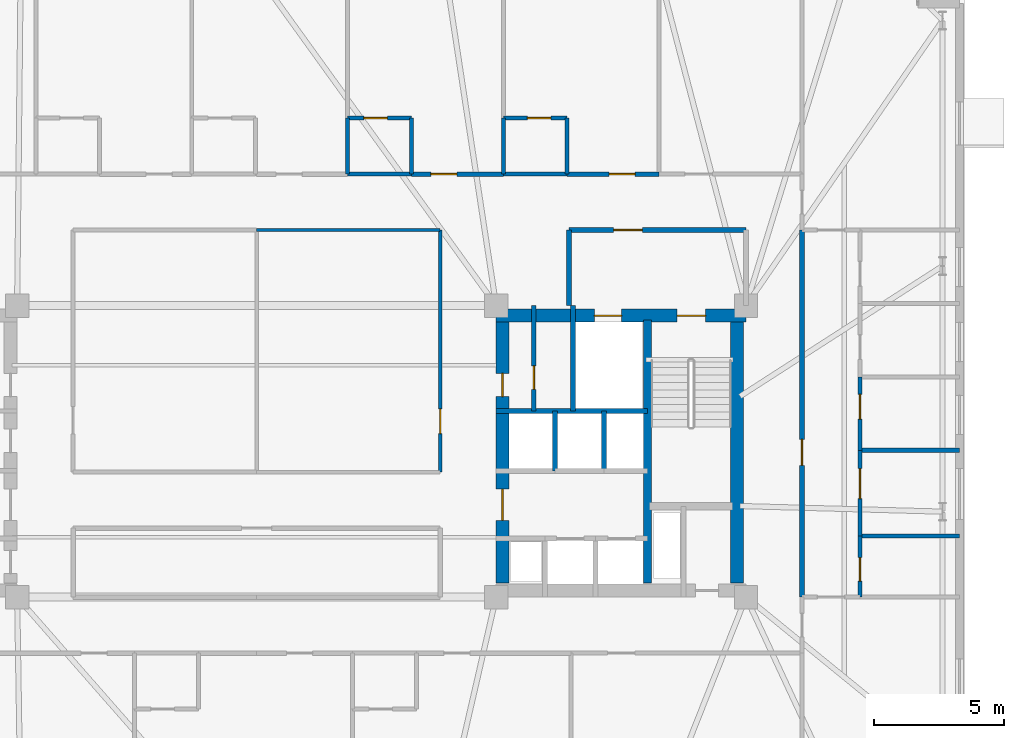
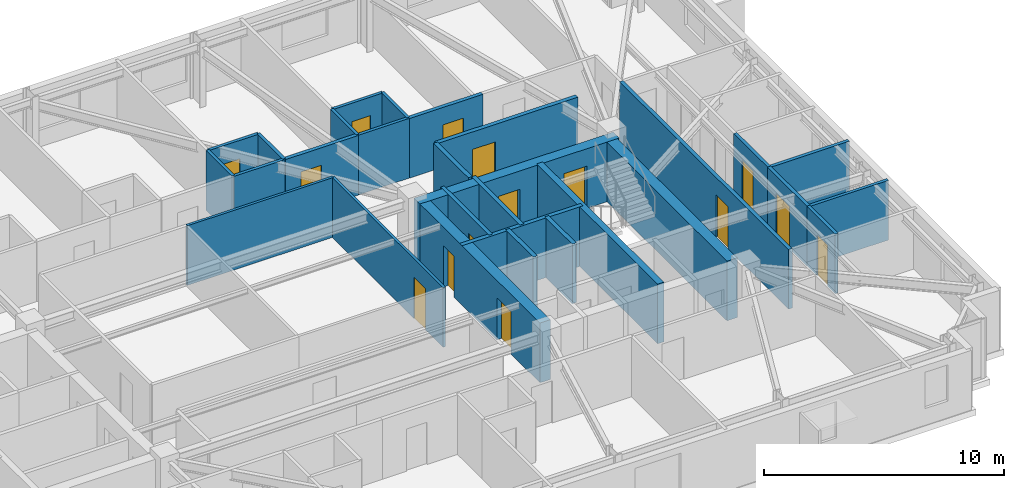
# One storey, part 14 of 19: 29 walls, 15 doors, 15 openings.
"""IFC4 building model written with IfcOpenShell, lengths in metres."""

import ifcopenshell
import ifcopenshell.guid

model = None  # the IFC model being written
_history = None  # IfcOwnerHistory: only IFC2X3 demands one
_inside = {}  # id of a spatial element -> (the spatial element, [elements in it])
_under = {}  # id of a project, library or spatial element -> (it, [spatial elements below it])
_declared = {}  # id of a project -> (the project, [libraries it declares])
_typed = {}  # id of a type object -> (the type object, [elements of that type])
_made_of = {}  # id of a material, layer set ... -> (it, [elements and type objects made of it])


def new_model(schema):
    """Start an empty IFC model of exactly this schema.

    Asked for "IFC4X3", IfcOpenShell would pick the latest addendum, in which some entities
    have other attributes; the version numbers below select the first issue.
    IFC2X3 requires an IfcOwnerHistory on every rooted entity: one is made here for all.
    """
    global model, _history
    if schema == "IFC4X3":
        model = ifcopenshell.file(schema_version=(4, 3, 0, 0))
    else:
        model = ifcopenshell.file(schema=schema)
    _inside.clear()
    _under.clear()
    _declared.clear()
    _typed.clear()
    _made_of.clear()
    _history = None
    if model.schema == "IFC2X3":
        org = make("IfcOrganization", Name="unknown")
        user = make(
            "IfcPersonAndOrganization",
            ThePerson=make("IfcPerson", FamilyName="unknown"),
            TheOrganization=org,
        )
        app = make(
            "IfcApplication",
            ApplicationDeveloper=org,
            Version="unknown",
            ApplicationFullName="unknown",
            ApplicationIdentifier="unknown",
        )
        _history = make(
            "IfcOwnerHistory",
            OwningUser=user,
            OwningApplication=app,
            ChangeAction="ADDED",
            CreationDate=0,
        )
    return model


def make(cls, **values):
    """One entity of the class cls with the attributes given. An attribute that is None is left unset."""
    return model.create_entity(
        cls, **{name: value for name, value in values.items() if value is not None}
    )


def rooted(cls, **values):
    """An entity with a GlobalId (a new one), such as an element, a storey or a relation."""
    return make(cls, GlobalId=ifcopenshell.guid.new(), OwnerHistory=_history, **values)


def si_unit(unit_type, name, prefix=None):
    """IfcSIUnit, for example si_unit("LENGTHUNIT", "METRE", prefix="MILLI")."""
    return make("IfcSIUnit", UnitType=unit_type, Prefix=prefix, Name=name)


def assignment(units):
    """IfcUnitAssignment: the units of a project."""
    return None if units is None else make("IfcUnitAssignment", Units=units)


def point(xyz):
    """IfcCartesianPoint."""
    return None if xyz is None else make("IfcCartesianPoint", Coordinates=xyz)


def direction(xyz):
    """IfcDirection."""
    return None if xyz is None else make("IfcDirection", DirectionRatios=xyz)


def frame(location, z_axis=None, x_axis=None):
    """IfcAxis2Placement3D, a coordinate frame: its origin and axes. An axis left out is left unset."""
    return make(
        "IfcAxis2Placement3D",
        Location=point(location),
        Axis=direction(z_axis),
        RefDirection=direction(x_axis),
    )


def frame_2d(location, x_axis=None):
    """IfcAxis2Placement2D, a coordinate frame in the plane: its origin and x axis."""
    return make(
        "IfcAxis2Placement2D", Location=point(location), RefDirection=direction(x_axis)
    )


def origin():
    """The frame at (0, 0, 0) with its axes left unset."""
    return frame((0.0, 0.0, 0.0))


def place(relative_to, where):
    """IfcLocalPlacement: puts the frame where relative to a parent placement (None: the world)."""
    return make(
        "IfcLocalPlacement", PlacementRelTo=relative_to, RelativePlacement=where
    )


def context(
    kind, dimensions, precision=None, world=None, true_north=None, identifier=None
):
    """IfcGeometricRepresentationContext, for example the 3D "Model" context."""
    return make(
        "IfcGeometricRepresentationContext",
        ContextIdentifier=identifier,
        ContextType=kind,
        CoordinateSpaceDimension=dimensions,
        Precision=precision,
        WorldCoordinateSystem=world,
        TrueNorth=true_north,
    )


def subcontext(parent, identifier, kind, view, scale=None):
    """IfcGeometricRepresentationSubContext, for example "Body" below "Model"."""
    return make(
        "IfcGeometricRepresentationSubContext",
        ContextIdentifier=identifier,
        ContextType=kind,
        ParentContext=parent,
        TargetScale=scale,
        TargetView=view,
    )


def project(units=None, contexts=None):
    """IfcProject with its units and contexts."""
    return rooted(
        "IfcProject",
        Name="project",
        RepresentationContexts=contexts,
        UnitsInContext=assignment(units),
    )


def spatial(cls, under=None, at=None, **own):
    """A site, building, storey or space (cls), placed at a placement, below another one or the project."""
    s = rooted(cls, ObjectPlacement=at, **own)
    if under is not None:
        _under.setdefault(under.id(), (under, []))[1].append(s)
    return s


def profile(cls, at=None, kind="AREA", **sizes):
    """A parametric profile (cls). Its sizes go by their IFC names, for example OverallWidth=200.0."""
    return make(cls, ProfileType=kind, Position=at, **sizes)


def rectangle(**sizes):
    """IfcRectangleProfileDef."""
    return profile("IfcRectangleProfileDef", **sizes)


def extrude(swept, where, along, depth):
    """IfcExtrudedAreaSolid: the profile swept, set in the frame where, extruded along a direction by depth."""
    return make(
        "IfcExtrudedAreaSolid",
        SweptArea=swept,
        Position=where,
        ExtrudedDirection=direction(along),
        Depth=depth,
    )


def shape(context_of_items, identifier, shape_type, items):
    """IfcShapeRepresentation: the items that make up one representation, for example the "Body"."""
    return make(
        "IfcShapeRepresentation",
        ContextOfItems=context_of_items,
        RepresentationIdentifier=identifier,
        RepresentationType=shape_type,
        Items=items,
    )


def material(Name=None, Category=None):
    """IfcMaterial."""
    return make("IfcMaterial", Name=Name, Category=Category)


def layer(
    of_material, thickness, ventilated=None, Name=None, Category=None, Priority=None
):
    """IfcMaterialLayer: one layer of a wall or slab, of a material (None: an air gap)."""
    return make(
        "IfcMaterialLayer",
        Material=of_material,
        LayerThickness=thickness,
        IsVentilated=ventilated,
        Name=Name,
        Category=Category,
        Priority=Priority,
    )


def layer_set(layers, Name=None):
    """IfcMaterialLayerSet."""
    return make("IfcMaterialLayerSet", MaterialLayers=layers, LayerSetName=Name)


def made_of(thing, what):
    """Note that an element or type object is made of a material, layer set ...; save() writes the relation."""
    if what is not None:
        _made_of.setdefault(what.id(), (what, []))[1].append(thing)
    return thing


def type_object(cls, material=None, **own):
    """A type object (cls), such as IfcWallType, which elements share."""
    return made_of(rooted(cls, **own), material)


def element(
    cls,
    number,
    at=None,
    inside=None,
    cuts=None,
    type_object=None,
    material=None,
    context=None,
    identifier="Body",
    shape_type=None,
    held_by="IfcProductDefinitionShape",
    body=None,
    shapes=None,
    **own,
):
    """One element of the class cls, such as IfcWall. Its Tag is "e" and its number.

    at: its placement. inside: the storey or other place that contains it. cuts: it is an
    opening in that element (IfcRelVoidsElement). A single representation is given by context,
    identifier, shape_type and body (its items); several are given by shapes. held_by: the class
    of the entity that holds the representations. save() writes the other relations.
    """
    e = rooted(cls, Tag="e%d" % number, ObjectPlacement=at, **own)
    if body is not None:
        shapes = [shape(context, identifier, shape_type, body)]
    if shapes is not None:
        e.Representation = make(held_by, Representations=shapes)
    if inside is not None:
        _inside.setdefault(inside.id(), (inside, []))[1].append(e)
    if cuts is not None:
        rooted(
            "IfcRelVoidsElement", RelatingBuildingElement=cuts, RelatedOpeningElement=e
        )
    if type_object is not None:
        _typed.setdefault(type_object.id(), (type_object, []))[1].append(e)
    return made_of(e, material)


def fill(opening, filler):
    """IfcRelFillsElement: the door or window that sits in an opening."""
    return rooted(
        "IfcRelFillsElement",
        RelatingOpeningElement=opening,
        RelatedBuildingElement=filler,
    )


def aggregate(whole, parts):
    """IfcRelAggregates: a whole, such as a stair, and the parts it consists of."""
    return rooted("IfcRelAggregates", RelatingObject=whole, RelatedObjects=parts)


def save(model, path):
    """Write the relations noted so far, then the file.

    IfcRelAggregates (storeys below a building ...), IfcRelContainedInSpatialStructure (elements
    in a storey), IfcRelDefinesByType, IfcRelAssociatesMaterial and IfcRelDeclares: one each for
    every whole, place, type object, material and project.
    """
    for whole, parts in _under.values():
        aggregate(whole, parts)
    for where, things in _inside.values():
        rooted(
            "IfcRelContainedInSpatialStructure",
            RelatedElements=things,
            RelatingStructure=where,
        )
    for kind, things in _typed.values():
        rooted("IfcRelDefinesByType", RelatedObjects=things, RelatingType=kind)
    for what, things in _made_of.values():
        rooted("IfcRelAssociatesMaterial", RelatedObjects=things, RelatingMaterial=what)
    for by, libraries in _declared.values():
        rooted("IfcRelDeclares", RelatingContext=by, RelatedDefinitions=libraries)
    model.write(path)


model = new_model("IFC4")

# Units and contexts
model_context = context("Model", 3, precision=1e-05, world=origin(), true_north=direction((0.0, 1.0)))
body_context = subcontext(model_context, "Body", "Model", "MODEL_VIEW")
ifc_project = project(units=[si_unit("LENGTHUNIT", "METRE"), si_unit("AREAUNIT", "SQUARE_METRE"), si_unit("VOLUMEUNIT", "CUBIC_METRE"), si_unit("PLANEANGLEUNIT", "RADIAN"), si_unit("MASSUNIT", "GRAM", prefix="KILO")], contexts=[model_context])

# Site, building, storey
site_placement = place(None, origin())
site = spatial("IfcSite", under=ifc_project, at=site_placement, CompositionType="ELEMENT")
building_placement = place(site_placement, origin())
building = spatial("IfcBuilding", under=site, at=building_placement, Name="Qobustan Lattice House", CompositionType="ELEMENT")
storey_placement = place(building_placement, frame((0.0, 0.0, 137.699951171875)))
storey = spatial("IfcBuildingStorey", under=building, at=storey_placement, Name="L38", CompositionType="ELEMENT", Elevation=137.699951171875)

# Wall, openings, doors
ifc_material_1 = material(Name="Concrete C50/60", Category="concrete")
ifc_layer_1 = layer(ifc_material_1, 0.5)
ifc_layer_set_1 = layer_set([ifc_layer_1], Name="Concrete C50/60")
wall_type_1 = type_object("IfcWallType", Name="WAL-CORE-500", PredefinedType="SHEAR", material=ifc_layer_set_1)
wall_1_placement = place(storey_placement, frame((9.199951171875, 5.2099609375, 0.0), z_axis=(0.0, 0.0, 1.0), x_axis=(1.0, 0.0, 0.0)))
wall_1 = element("IfcWall", 1, at=wall_1_placement, inside=storey, type_object=wall_type_1, Name="L38 split-core shear wall CE-N", PredefinedType="SHEAR", context=body_context, shape_type="SweptSolid", body=[
    extrude(rectangle(XDim=9.60009765625, YDim=0.5, at=frame_2d((4.800048828125, 0.0))), origin(), (0.0, 0.0, 1.0), 3.0400390625),
])
opening_1_placement = place(wall_1_placement, frame((6.949951171875, 0.0, 0.0)))
opening_1 = element("IfcOpeningElement", 2, at=opening_1_placement, cuts=wall_1, Name="Opening SD-01", PredefinedType="OPENING", context=body_context, shape_type="SweptSolid", body=[
    extrude(rectangle(XDim=1.10009765625, YDim=2.14990234375, at=frame_2d((0.550048828125, 1.074951171875))), frame((0.0, 0.260009765625, 0.0), z_axis=(0.0, -1.0, 0.0), x_axis=(1.0, 0.0, 0.0)), (0.0, 0.0, 1.0), 0.52001953125),
])
opening_2_placement = place(wall_1_placement, frame((3.77490234375, 0.0, 0.0)))
opening_2 = element("IfcOpeningElement", 3, at=opening_2_placement, cuts=wall_1, Name="Opening LD-01", PredefinedType="OPENING", context=body_context, shape_type="SweptSolid", body=[
    extrude(rectangle(XDim=1.050048828125, YDim=2.10009765625, at=frame_2d((0.52490234375, 1.050048828125))), frame((0.0, 0.260009765625, 0.0), z_axis=(0.0, -1.0, 0.0), x_axis=(1.0, 0.0, 0.0)), (0.0, 0.0, 1.0), 0.52001953125),
])
ifc_material_2 = material(Name="Persian walnut timber and steel frame door", Category="steel")
door_type_1 = type_object("IfcDoorType", Name="DOR-LIFT-LD-1050x2100", OperationType="NOTDEFINED", PredefinedType="DOOR", material=ifc_material_2)
door_1_placement = place(opening_2_placement, origin())
door_1 = element("IfcDoor", 4, at=door_1_placement, inside=storey, type_object=door_type_1, Name="L38 firefighting lift FF-E landing door", OperationType="DOUBLE_DOOR_SLIDING", OverallHeight=2.10009765625, OverallWidth=1.050048828125, PredefinedType="DOOR", context=body_context, shape_type="SweptSolid", body=[
    extrude(rectangle(XDim=1.050048828125, YDim=2.10009765625, at=frame_2d((0.52490234375, 1.050048828125))), frame((0.0, 0.02490234375, 0.0), z_axis=(0.0, -1.0, 0.0), x_axis=(1.0, 0.0, 0.0)), (0.0, 0.0, 1.0), 0.050048828125),
])
fill(opening_2, door_1)
ifc_material_3 = material(Name="Persian walnut timber and steel frame door", Category="steel")
door_type_2 = type_object("IfcDoorType", Name="DOR-STAIR-FD-1100x2150", OperationType="NOTDEFINED", PredefinedType="DOOR", material=ifc_material_3)
door_2_placement = place(opening_1_placement, origin())
door_2 = element("IfcDoor", 5, at=door_2_placement, inside=storey, type_object=door_type_2, Name="L38 exit stair ST-E1 fire door", OperationType="SINGLE_SWING_RIGHT", OverallHeight=2.14990234375, OverallWidth=1.10009765625, PredefinedType="DOOR", context=body_context, shape_type="SweptSolid", body=[
    extrude(rectangle(XDim=1.10009765625, YDim=2.14990234375, at=frame_2d((0.550048828125, 1.074951171875))), frame((0.0, 0.02490234375, 0.0), z_axis=(0.0, -1.0, 0.0), x_axis=(1.0, 0.0, 0.0)), (0.0, 0.0, 1.0), 0.050048828125),
])
fill(opening_1, door_2)

wall_2_placement = place(storey_placement, frame((9.449951171875, -5.050048828125, 0.0), z_axis=(0.0, 0.0, 1.0), x_axis=(0.0, 1.0, 0.0)))
wall_2 = element("IfcWall", 6, at=wall_2_placement, inside=storey, type_object=wall_type_1, Name="L38 split-core shear wall CE-W", PredefinedType="SHEAR", context=body_context, shape_type="SweptSolid", body=[
    extrude(rectangle(XDim=10.10009765625, YDim=0.5, at=frame_2d((5.050048828125, 0.0))), origin(), (0.0, 0.0, 1.0), 3.0400390625),
])
opening_3_placement = place(wall_2_placement, frame((7.14990234375, 0.0, 0.0)))
opening_3 = element("IfcOpeningElement", 7, at=opening_3_placement, cuts=wall_2, Name="Opening RD-01", PredefinedType="OPENING", context=body_context, shape_type="SweptSolid", body=[
    extrude(rectangle(XDim=0.89990234375, YDim=2.10009765625, at=frame_2d((0.449951171875, 1.050048828125))), frame((0.0, 0.260009765625, 0.0), z_axis=(0.0, -1.0, 0.0), x_axis=(1.0, 0.0, 0.0)), (0.0, 0.0, 1.0), 0.52001953125),
])
opening_4_placement = place(wall_2_placement, frame((2.39990234375, 0.0, 0.0)))
opening_4 = element("IfcOpeningElement", 8, at=opening_4_placement, cuts=wall_2, Name="Opening FD-01", PredefinedType="OPENING", context=body_context, shape_type="SweptSolid", body=[
    extrude(rectangle(XDim=1.199951171875, YDim=2.14990234375, at=frame_2d((0.60009765625, 1.074951171875))), frame((0.0, 0.260009765625, 0.0), z_axis=(0.0, -1.0, 0.0), x_axis=(1.0, 0.0, 0.0)), (0.0, 0.0, 1.0), 0.52001953125),
])
ifc_material_4 = material(Name="Persian walnut timber and steel frame door", Category="steel")
door_type_3 = type_object("IfcDoorType", Name="DOR-LOBBY-FD-1200x2150", OperationType="NOTDEFINED", PredefinedType="DOOR", material=ifc_material_4)
door_3_placement = place(opening_4_placement, origin())
door_3 = element("IfcDoor", 9, at=door_3_placement, inside=storey, type_object=door_type_3, Name="L38 East passenger lift lobby fire door", OperationType="SINGLE_SWING_LEFT", OverallHeight=2.14990234375, OverallWidth=1.199951171875, PredefinedType="DOOR", context=body_context, shape_type="SweptSolid", body=[
    extrude(rectangle(XDim=1.199951171875, YDim=2.14990234375, at=frame_2d((0.60009765625, 1.074951171875))), frame((0.0, 0.02490234375, 0.0), z_axis=(0.0, -1.0, 0.0), x_axis=(1.0, 0.0, 0.0)), (0.0, 0.0, 1.0), 0.050048828125),
])
fill(opening_4, door_3)
ifc_material_5 = material(Name="Persian walnut timber and steel frame door", Category="steel")
door_type_4 = type_object("IfcDoorType", Name="DOR-RISER-FD-900x2100", OperationType="NOTDEFINED", PredefinedType="DOOR", material=ifc_material_5)
door_4_placement = place(opening_3_placement, origin())
door_4 = element("IfcDoor", 10, at=door_4_placement, inside=storey, type_object=door_type_4, Name="L38 Print and mail closet fire door", OperationType="SINGLE_SWING_RIGHT", OverallHeight=2.10009765625, OverallWidth=0.89990234375, PredefinedType="DOOR", context=body_context, shape_type="SweptSolid", body=[
    extrude(rectangle(XDim=0.89990234375, YDim=2.10009765625, at=frame_2d((0.449951171875, 1.050048828125))), frame((0.0, 0.02490234375, 0.0), z_axis=(0.0, -1.0, 0.0), x_axis=(1.0, 0.0, 0.0)), (0.0, 0.0, 1.0), 0.050048828125),
])
fill(opening_3, door_4)

# Walls
wall_3_placement = place(storey_placement, frame((18.4599609375, -5.050048828125, 0.0), z_axis=(0.0, 0.0, 1.0), x_axis=(0.0, 1.0, 0.0)))
element("IfcWall", 11, at=wall_3_placement, inside=storey, type_object=wall_type_1, Name="L38 split-core shear wall CE-E", PredefinedType="SHEAR", context=body_context, shape_type="SweptSolid", body=[
    extrude(rectangle(XDim=10.10009765625, YDim=0.5, at=frame_2d((5.050048828125, 0.0))), origin(), (0.0, 0.0, 1.0), 3.0400390625),
])
ifc_material_6 = material(Name="Concrete C50/60", Category="concrete")
ifc_layer_2 = layer(ifc_material_6, 0.280029296875)
ifc_layer_set_2 = layer_set([ifc_layer_2], Name="Concrete C50/60")
wall_type_2 = type_object("IfcWallType", Name="WAL-CORE-SPINE-280", PredefinedType="SHEAR", material=ifc_layer_set_2)
wall_4_placement = place(storey_placement, frame((15.02001953125, -5.050048828125, 0.0), z_axis=(0.0, 0.0, 1.0), x_axis=(0.0, 1.0, 0.0)))
element("IfcWall", 12, at=wall_4_placement, inside=storey, type_object=wall_type_2, Name="L38 split-core shear wall CE-M", PredefinedType="SHEAR", context=body_context, shape_type="SweptSolid", body=[
    extrude(rectangle(XDim=10.10009765625, YDim=0.300048828125, at=frame_2d((5.050048828125, 0.0))), origin(), (0.0, 0.0, 1.0), 3.0400390625),
])

# Wall, opening, door
ifc_material_7 = material(Name="Gypsum fireboard acoustic partition", Category="gypsum")
ifc_layer_3 = layer(ifc_material_7, 0.179931640625)
ifc_layer_set_3 = layer_set([ifc_layer_3], Name="Gypsum fireboard acoustic partition")
wall_type_3 = type_object("IfcWallType", Name="WAL-FIRE-180", PredefinedType="PARTITIONING", material=ifc_layer_set_3)
wall_5_placement = place(storey_placement, frame((10.64990234375, 1.550048828125, 0.0), z_axis=(0.0, 0.0, 1.0), x_axis=(0.0, 1.0, 0.0)))
wall_5 = element("IfcWall", 13, at=wall_5_placement, inside=storey, type_object=wall_type_3, Name="L38 interior partition 18", PredefinedType="PARTITIONING", context=body_context, shape_type="SweptSolid", body=[
    extrude(rectangle(XDim=4.050048828125, YDim=0.179931640625, at=frame_2d((2.02490234375, 0.0))), origin(), (0.0, 0.0, 1.0), 3.0400390625),
])
opening_5_placement = place(wall_5_placement, frame((0.828857421875, 0.0, 0.0)))
opening_5 = element("IfcOpeningElement", 14, at=opening_5_placement, cuts=wall_5, Name="Opening RD-01", PredefinedType="OPENING", context=body_context, shape_type="SweptSolid", body=[
    extrude(rectangle(XDim=0.89990234375, YDim=2.10009765625, at=frame_2d((0.449951171875, 1.050048828125))), frame((0.0, 0.099853515625, 0.0), z_axis=(0.0, -1.0, 0.0), x_axis=(1.0, 0.0, 0.0)), (0.0, 0.0, 1.0), 0.199951171875),
])
door_5_placement = place(opening_5_placement, origin())
door_5 = element("IfcDoor", 15, at=door_5_placement, inside=storey, type_object=door_type_4, Name="L38 Print and mail closet to Core utility store door", OperationType="SINGLE_SWING_LEFT", OverallHeight=2.10009765625, OverallWidth=0.89990234375, PredefinedType="DOOR", context=body_context, shape_type="SweptSolid", body=[
    extrude(rectangle(XDim=0.89990234375, YDim=2.10009765625, at=frame_2d((0.449951171875, 1.050048828125))), frame((0.0, 0.02490234375, 0.0), z_axis=(0.0, -1.0, 0.0), x_axis=(1.0, 0.0, 0.0)), (0.0, 0.0, 1.0), 0.050048828125),
])
fill(opening_5, door_5)

wall_6_placement = place(storey_placement, frame((5.943115234375, 10.64990234375, 0.0), z_axis=(0.0, 0.0, 1.0), x_axis=(1.0, 0.0, 0.0)))
wall_6 = element("IfcWall", 16, at=wall_6_placement, inside=storey, type_object=wall_type_3, Name="L38 interior partition 41", PredefinedType="PARTITIONING", context=body_context, shape_type="SweptSolid", body=[
    extrude(rectangle(XDim=3.535888671875, YDim=0.179931640625, at=frame_2d((1.76806640625, 0.0))), origin(), (0.0, 0.0, 1.0), 3.0400390625),
])
opening_6_placement = place(wall_6_placement, frame((0.751953125, 0.0, 0.0)))
opening_6 = element("IfcOpeningElement", 17, at=opening_6_placement, cuts=wall_6, Name="Opening FD-02", PredefinedType="OPENING", context=body_context, shape_type="SweptSolid", body=[
    extrude(rectangle(XDim=1.0, YDim=2.14990234375, at=frame_2d((0.5, 1.074951171875))), frame((0.0, 0.099853515625, 0.0), z_axis=(0.0, -1.0, 0.0), x_axis=(1.0, 0.0, 0.0)), (0.0, 0.0, 1.0), 0.199951171875),
])
ifc_material_8 = material(Name="Persian walnut timber and steel frame door", Category="steel")
door_type_5 = type_object("IfcDoorType", Name="DOR-UNIT-FD-1000x2150", OperationType="NOTDEFINED", PredefinedType="DOOR", material=ifc_material_8)
door_6_placement = place(opening_6_placement, origin())
door_6 = element("IfcDoor", 18, at=door_6_placement, inside=storey, type_object=door_type_5, Name="L38 North-east floor corridor to Kitchenette and studio apartment L38-N5 door", OperationType="SINGLE_SWING_LEFT", OverallHeight=2.14990234375, OverallWidth=1.0, PredefinedType="DOOR", context=body_context, shape_type="SweptSolid", body=[
    extrude(rectangle(XDim=1.0, YDim=2.14990234375, at=frame_2d((0.5, 1.074951171875))), frame((0.0, 0.02490234375, 0.0), z_axis=(0.0, -1.0, 0.0), x_axis=(1.0, 0.0, 0.0)), (0.0, 0.0, 1.0), 0.050048828125),
])
fill(opening_6, door_6)

wall_7_placement = place(storey_placement, frame((11.928955078125, 10.64990234375, 0.0), z_axis=(0.0, 0.0, 1.0), x_axis=(1.0, 0.0, 0.0)))
wall_7 = element("IfcWall", 19, at=wall_7_placement, inside=storey, type_object=wall_type_3, Name="L38 interior partition 43", PredefinedType="PARTITIONING", context=body_context, shape_type="SweptSolid", body=[
    extrude(rectangle(XDim=3.53515625, YDim=0.179931640625, at=frame_2d((1.767578125, 0.0))), origin(), (0.0, 0.0, 1.0), 3.0400390625),
])
opening_7_placement = place(wall_7_placement, frame((1.611328125, 0.0, 0.0)))
opening_7 = element("IfcOpeningElement", 20, at=opening_7_placement, cuts=wall_7, Name="Opening FD-02", PredefinedType="OPENING", context=body_context, shape_type="SweptSolid", body=[
    extrude(rectangle(XDim=1.0, YDim=2.14990234375, at=frame_2d((0.5, 1.074951171875))), frame((0.0, 0.099853515625, 0.0), z_axis=(0.0, -1.0, 0.0), x_axis=(1.0, 0.0, 0.0)), (0.0, 0.0, 1.0), 0.199951171875),
])
door_7_placement = place(opening_7_placement, origin())
door_7 = element("IfcDoor", 21, at=door_7_placement, inside=storey, type_object=door_type_5, Name="L38 North-east floor corridor to Kitchenette and studio apartment L38-N6 door", OperationType="SINGLE_SWING_RIGHT", OverallHeight=2.14990234375, OverallWidth=1.0, PredefinedType="DOOR", context=body_context, shape_type="SweptSolid", body=[
    extrude(rectangle(XDim=1.0, YDim=2.14990234375, at=frame_2d((0.5, 1.074951171875))), frame((0.0, 0.02490234375, 0.0), z_axis=(0.0, -1.0, 0.0), x_axis=(1.0, 0.0, 0.0)), (0.0, 0.0, 1.0), 0.050048828125),
])
fill(opening_7, door_7)

wall_8_placement = place(storey_placement, frame((20.949951171875, 8.5, 0.0), z_axis=(0.0, 0.0, 1.0), x_axis=(0.0, -1.0, 0.0)))
wall_8 = element("IfcWall", 22, at=wall_8_placement, inside=storey, type_object=wall_type_3, Name="L38 interior partition 61", PredefinedType="PARTITIONING", context=body_context, shape_type="SweptSolid", body=[
    extrude(rectangle(XDim=14.10009765625, YDim=0.179931640625, at=frame_2d((7.050048828125, 0.0))), origin(), (0.0, 0.0, 1.0), 3.0400390625),
])
opening_8_placement = place(wall_8_placement, frame((8.04248046875, 0.0, 0.0)))
opening_8 = element("IfcOpeningElement", 23, at=opening_8_placement, cuts=wall_8, Name="Opening FD-02", PredefinedType="OPENING", context=body_context, shape_type="SweptSolid", body=[
    extrude(rectangle(XDim=1.0, YDim=2.14990234375, at=frame_2d((0.5, 1.074951171875))), frame((0.0, 0.099853515625, 0.0), z_axis=(0.0, -1.0, 0.0), x_axis=(1.0, 0.0, 0.0)), (0.0, 0.0, 1.0), 0.199951171875),
])
door_8_placement = place(opening_8_placement, origin())
door_8 = element("IfcDoor", 24, at=door_8_placement, inside=storey, type_object=door_type_5, Name="L38 East wing spine gallery to Residence entrance hall L38E door", OperationType="SINGLE_SWING_RIGHT", OverallHeight=2.14990234375, OverallWidth=1.0, PredefinedType="DOOR", context=body_context, shape_type="SweptSolid", body=[
    extrude(rectangle(XDim=1.0, YDim=2.14990234375, at=frame_2d((0.5, 1.074951171875))), frame((0.0, 0.02490234375, 0.0), z_axis=(0.0, -1.0, 0.0), x_axis=(1.0, 0.0, 0.0)), (0.0, 0.0, 1.0), 0.050048828125),
])
fill(opening_8, door_8)

# Wall
ifc_material_9 = material(Name="Lightweight acoustic stud partition", Category="gypsum")
ifc_layer_4 = layer(ifc_material_9, 0.125)
ifc_layer_set_4 = layer_set([ifc_layer_4], Name="Lightweight acoustic stud partition")
wall_type_4 = type_object("IfcWallType", Name="WAL-PART-125", PredefinedType="PARTITIONING", material=ifc_layer_set_4)
wall_9_placement = place(storey_placement, frame((7.050048828125, 8.5, 0.0), z_axis=(0.0, 0.0, 1.0), x_axis=(-1.0, 0.0, 0.0)))
element("IfcWall", 25, at=wall_9_placement, inside=storey, type_object=wall_type_4, Name="L38 interior partition 46", PredefinedType="PARTITIONING", context=body_context, shape_type="SweptSolid", body=[
    extrude(rectangle(XDim=7.050048828125, YDim=0.125, at=frame_2d((3.52490234375, 0.0))), origin(), (0.0, 0.0, 1.0), 3.0400390625),
])

# Wall, opening, door
wall_10_placement = place(storey_placement, frame((7.050048828125, -0.800048828125, 0.0), z_axis=(0.0, 0.0, 1.0), x_axis=(0.0, 1.0, 0.0)))
wall_10 = element("IfcWall", 26, at=wall_10_placement, inside=storey, type_object=wall_type_4, Name="L38 interior partition 67", PredefinedType="PARTITIONING", context=body_context, shape_type="SweptSolid", body=[
    extrude(rectangle(XDim=9.300048828125, YDim=0.125, at=frame_2d((4.64990234375, 0.0))), origin(), (0.0, 0.0, 1.0), 3.0400390625),
])
opening_9_placement = place(wall_10_placement, frame((1.478759765625, 0.0, 0.0)))
opening_9 = element("IfcOpeningElement", 27, at=opening_9_placement, cuts=wall_10, Name="Opening ID-01", PredefinedType="OPENING", context=body_context, shape_type="SweptSolid", body=[
    extrude(rectangle(XDim=0.949951171875, YDim=2.10009765625, at=frame_2d((0.47509765625, 1.050048828125))), frame((0.0, 0.072509765625, 0.0), z_axis=(0.0, -1.0, 0.0), x_axis=(1.0, 0.0, 0.0)), (0.0, 0.0, 1.0), 0.14501953125),
])
ifc_material_10 = material(Name="Persian walnut timber and steel frame door", Category="steel")
door_type_6 = type_object("IfcDoorType", Name="DOR-ROOM-950x2100", OperationType="NOTDEFINED", PredefinedType="DOOR", material=ifc_material_10)
door_9_placement = place(opening_9_placement, origin())
door_9 = element("IfcDoor", 28, at=door_9_placement, inside=storey, type_object=door_type_6, Name="L38 East floor link corridor to Focus booth salon door", OperationType="SINGLE_SWING_LEFT", OverallHeight=2.10009765625, OverallWidth=0.949951171875, PredefinedType="DOOR", context=body_context, shape_type="SweptSolid", body=[
    extrude(rectangle(XDim=0.949951171875, YDim=2.10009765625, at=frame_2d((0.47509765625, 1.050048828125))), frame((0.0, 0.02490234375, 0.0), z_axis=(0.0, -1.0, 0.0), x_axis=(1.0, 0.0, 0.0)), (0.0, 0.0, 1.0), 0.050048828125),
])
fill(opening_9, door_9)

ifc_material_11 = material(Name="Acoustic twin-stud gypsum partition", Category="gypsum")
ifc_layer_5 = layer(ifc_material_11, 0.14990234375)
ifc_layer_set_5 = layer_set([ifc_layer_5], Name="Acoustic twin-stud gypsum partition")
wall_type_5 = type_object("IfcWallType", Name="WAL-PART-150", PredefinedType="PARTITIONING", material=ifc_layer_set_5)
wall_11_placement = place(storey_placement, frame((23.179931640625, 2.860107421875, 0.0), z_axis=(0.0, 0.0, 1.0), x_axis=(0.0, -1.0, 0.0)))
wall_11 = element("IfcWall", 29, at=wall_11_placement, inside=storey, type_object=wall_type_5, Name="L38 interior partition 90", PredefinedType="PARTITIONING", context=body_context, shape_type="SweptSolid", body=[
    extrude(rectangle(XDim=2.820068359375, YDim=0.14990234375, at=frame_2d((1.41015625, 0.0))), origin(), (0.0, 0.0, 1.0), 3.0400390625),
])
opening_10_placement = place(wall_11_placement, frame((0.668701171875, 0.0, 0.0)))
opening_10 = element("IfcOpeningElement", 30, at=opening_10_placement, cuts=wall_11, Name="Opening ID-01", PredefinedType="OPENING", context=body_context, shape_type="SweptSolid", body=[
    extrude(rectangle(XDim=0.949951171875, YDim=2.10009765625, at=frame_2d((0.47509765625, 1.050048828125))), frame((0.0, 0.0849609375, 0.0), z_axis=(0.0, -1.0, 0.0), x_axis=(1.0, 0.0, 0.0)), (0.0, 0.0, 1.0), 0.169921875),
])
door_10_placement = place(opening_10_placement, origin())
door_10 = element("IfcDoor", 31, at=door_10_placement, inside=storey, type_object=door_type_6, Name="L38 Residence entrance hall L38E to Cluster bedroom L38E1 door", OperationType="SINGLE_SWING_RIGHT", OverallHeight=2.10009765625, OverallWidth=0.949951171875, PredefinedType="DOOR", context=body_context, shape_type="SweptSolid", body=[
    extrude(rectangle(XDim=0.949951171875, YDim=2.10009765625, at=frame_2d((0.47509765625, 1.050048828125))), frame((0.0, 0.02490234375, 0.0), z_axis=(0.0, -1.0, 0.0), x_axis=(1.0, 0.0, 0.0)), (0.0, 0.0, 1.0), 0.050048828125),
])
fill(opening_10, door_10)

ifc_material_12 = material(Name="High-mass acoustic twin-stud partition", Category="gypsum")
ifc_layer_6 = layer(ifc_material_12, 0.1650390625)
ifc_layer_set_6 = layer_set([ifc_layer_6], Name="High-mass acoustic twin-stud partition")
wall_type_6 = type_object("IfcWallType", Name="WAL-PART-165", PredefinedType="PARTITIONING", material=ifc_layer_set_6)
wall_12_placement = place(storey_placement, frame((23.179931640625, 0.0400390625, 0.0), z_axis=(0.0, 0.0, 1.0), x_axis=(0.0, -1.0, 0.0)))
wall_12 = element("IfcWall", 32, at=wall_12_placement, inside=storey, type_object=wall_type_6, Name="L38 interior partition 89", PredefinedType="PARTITIONING", context=body_context, shape_type="SweptSolid", body=[
    extrude(rectangle(XDim=3.2900390625, YDim=0.1650390625, at=frame_2d((1.64501953125, 0.0))), origin(), (0.0, 0.0, 1.0), 3.0400390625),
])
opening_11_placement = place(wall_12_placement, frame((0.702392578125, 0.0, 0.0)))
opening_11 = element("IfcOpeningElement", 33, at=opening_11_placement, cuts=wall_12, Name="Opening ID-03", PredefinedType="OPENING", context=body_context, shape_type="SweptSolid", body=[
    extrude(rectangle(XDim=1.14990234375, YDim=2.14990234375, at=frame_2d((0.574951171875, 1.074951171875))), frame((0.0, 0.092529296875, 0.0), z_axis=(0.0, -1.0, 0.0), x_axis=(1.0, 0.0, 0.0)), (0.0, 0.0, 1.0), 0.18505859375),
])
ifc_material_13 = material(Name="Persian walnut timber and steel frame door", Category="steel")
door_type_7 = type_object("IfcDoorType", Name="DOR-KITCH-1150x2150", OperationType="NOTDEFINED", PredefinedType="DOOR", material=ifc_material_13)
door_11_placement = place(opening_11_placement, origin())
door_11 = element("IfcDoor", 34, at=door_11_placement, inside=storey, type_object=door_type_7, Name="L38 Residence entrance hall L38E to Shared kitchen L38E door", OperationType="SINGLE_SWING_LEFT", OverallHeight=2.14990234375, OverallWidth=1.14990234375, PredefinedType="DOOR", context=body_context, shape_type="SweptSolid", body=[
    extrude(rectangle(XDim=1.14990234375, YDim=2.14990234375, at=frame_2d((0.574951171875, 1.074951171875))), frame((0.0, 0.02490234375, 0.0), z_axis=(0.0, -1.0, 0.0), x_axis=(1.0, 0.0, 0.0)), (0.0, 0.0, 1.0), 0.050048828125),
])
fill(opening_11, door_11)

# Wall
wall_13_placement = place(storey_placement, frame((23.179931640625, 0.0400390625, 0.0), z_axis=(0.0, 0.0, 1.0), x_axis=(1.0, 0.0, 0.0)))
element("IfcWall", 35, at=wall_13_placement, inside=storey, type_object=wall_type_6, Name="L38 interior partition 98", PredefinedType="PARTITIONING", context=body_context, shape_type="SweptSolid", body=[
    extrude(rectangle(XDim=3.820068359375, YDim=0.1650390625, at=frame_2d((1.91015625, 0.0))), origin(), (0.0, 0.0, 1.0), 3.0400390625),
])

# Wall, opening, door
ifc_material_14 = material(Name="Two-hour gypsum fireboard acoustic partition", Category="gypsum")
ifc_layer_7 = layer(ifc_material_14, 0.199951171875)
ifc_layer_set_7 = layer_set([ifc_layer_7], Name="Two-hour gypsum fireboard acoustic partition")
wall_type_7 = type_object("IfcWallType", Name="WAL-PROT-200", PredefinedType="PARTITIONING", material=ifc_layer_set_7)
wall_14_placement = place(storey_placement, frame((18.800048828125, 8.5, 0.0), z_axis=(0.0, 0.0, 1.0), x_axis=(-1.0, 0.0, 0.0)))
wall_14 = element("IfcWall", 36, at=wall_14_placement, inside=storey, type_object=wall_type_7, Name="L38 interior partition 15", PredefinedType="PARTITIONING", context=body_context, shape_type="SweptSolid", body=[
    extrude(rectangle(XDim=6.800048828125, YDim=0.199951171875, at=frame_2d((3.39990234375, 0.0))), origin(), (0.0, 0.0, 1.0), 3.0400390625),
])
opening_12_placement = place(wall_14_placement, frame((3.985107421875, 0.0, 0.0)))
opening_12 = element("IfcOpeningElement", 37, at=opening_12_placement, cuts=wall_14, Name="Opening SD-01", PredefinedType="OPENING", context=body_context, shape_type="SweptSolid", body=[
    extrude(rectangle(XDim=1.10009765625, YDim=2.14990234375, at=frame_2d((0.550048828125, 1.074951171875))), frame((0.0, 0.10986328125, 0.0), z_axis=(0.0, -1.0, 0.0), x_axis=(1.0, 0.0, 0.0)), (0.0, 0.0, 1.0), 0.219970703125),
])
door_12_placement = place(opening_12_placement, origin())
door_12 = element("IfcDoor", 38, at=door_12_placement, inside=storey, type_object=door_type_2, Name="L38 East firefighting lift lobby to North-east floor corridor door", OperationType="SINGLE_SWING_RIGHT", OverallHeight=2.14990234375, OverallWidth=1.10009765625, PredefinedType="DOOR", context=body_context, shape_type="SweptSolid", body=[
    extrude(rectangle(XDim=1.10009765625, YDim=2.14990234375, at=frame_2d((0.550048828125, 1.074951171875))), frame((0.0, 0.02490234375, 0.0), z_axis=(0.0, -1.0, 0.0), x_axis=(1.0, 0.0, 0.0)), (0.0, 0.0, 1.0), 0.050048828125),
])
fill(opening_12, door_12)

# Walls
wall_15_placement = place(storey_placement, frame((12.0, 8.5, 0.0), z_axis=(0.0, 0.0, 1.0), x_axis=(0.0, -1.0, 0.0)))
element("IfcWall", 39, at=wall_15_placement, inside=storey, type_object=wall_type_7, Name="L38 interior partition 17", PredefinedType="PARTITIONING", context=body_context, shape_type="SweptSolid", body=[
    extrude(rectangle(XDim=2.89990234375, YDim=0.199951171875, at=frame_2d((1.449951171875, 0.0))), origin(), (0.0, 0.0, 1.0), 3.0400390625),
])
ifc_material_15 = material(Name="Concrete C40/50", Category="concrete")
ifc_layer_8 = layer(ifc_material_15, 0.199951171875)
ifc_layer_set_8 = layer_set([ifc_layer_8], Name="Concrete C40/50")
wall_type_8 = type_object("IfcWallType", Name="WAL-SHAFT-200", PredefinedType="PARTITIONING", material=ifc_layer_set_8)
wall_16_placement = place(storey_placement, frame((12.14990234375, 5.60009765625, 0.0), z_axis=(0.0, 0.0, 1.0), x_axis=(0.0, -1.0, 0.0)))
element("IfcWall", 40, at=wall_16_placement, inside=storey, type_object=wall_type_8, Name="L38 interior partition 14", PredefinedType="PARTITIONING", context=body_context, shape_type="SweptSolid", body=[
    extrude(rectangle(XDim=4.050048828125, YDim=0.199951171875, at=frame_2d((2.02490234375, 0.0))), origin(), (0.0, 0.0, 1.0), 3.0400390625),
])
for number, where, z_axis, x_axis, name in (
    (41, (11.4599609375, -0.75, 0.0), (0.0, 0.0, 1.0), (0.0, 1.0, 0.0), "L38 interior partition 29"),
    (42, (13.340087890625, -0.75, 0.0), (0.0, 0.0, 1.0), (0.0, 1.0, 0.0), "L38 interior partition 30"),
):
    element("IfcWall", number, at=place(storey_placement, frame(where, z_axis=z_axis, x_axis=x_axis)), inside=storey, type_object=wall_type_8, Name=name, PredefinedType="PARTITIONING", context=body_context, shape_type="SweptSolid", body=[
        extrude(rectangle(XDim=2.300048828125, YDim=0.199951171875, at=frame_2d((1.14990234375, 0.0))), origin(), (0.0, 0.0, 1.0), 3.0400390625),
    ])
wall_17_placement = place(storey_placement, frame((9.199951171875, 1.550048828125, 0.0), z_axis=(0.0, 0.0, 1.0), x_axis=(1.0, 0.0, 0.0)))
element("IfcWall", 43, at=wall_17_placement, inside=storey, type_object=wall_type_8, Name="L38 interior partition 135", PredefinedType="PARTITIONING", context=body_context, shape_type="SweptSolid", body=[
    extrude(rectangle(XDim=5.820068359375, YDim=0.199951171875, at=frame_2d((2.91015625, 0.0))), origin(), (0.0, 0.0, 1.0), 3.0400390625),
])
ifc_material_16 = material(Name="Moisture-resistant acoustic plumbing wall", Category="gypsum")
ifc_layer_9 = layer(ifc_material_16, 0.14990234375)
ifc_layer_set_9 = layer_set([ifc_layer_9], Name="Moisture-resistant acoustic plumbing wall")
wall_type_9 = type_object("IfcWallType", Name="WAL-WET-150", PredefinedType="PLUMBINGWALL", material=ifc_layer_set_9)
wall_18_placement = place(storey_placement, frame((3.492919921875, 10.64990234375, 0.0), z_axis=(0.0, 0.0, 1.0), x_axis=(1.0, 0.0, 0.0)))
element("IfcWall", 44, at=wall_18_placement, inside=storey, type_object=wall_type_9, Name="L38 interior partition 42", PredefinedType="PLUMBINGWALL", context=body_context, shape_type="SweptSolid", body=[
    extrude(rectangle(XDim=2.4501953125, YDim=0.14990234375, at=frame_2d((1.22509765625, 0.0))), origin(), (0.0, 0.0, 1.0), 3.0400390625),
])
wall_19_placement = place(storey_placement, frame((9.47900390625, 10.64990234375, 0.0), z_axis=(0.0, 0.0, 1.0), x_axis=(1.0, 0.0, 0.0)))
element("IfcWall", 45, at=wall_19_placement, inside=storey, type_object=wall_type_9, Name="L38 interior partition 44", PredefinedType="PLUMBINGWALL", context=body_context, shape_type="SweptSolid", body=[
    extrude(rectangle(XDim=2.449951171875, YDim=0.14990234375, at=frame_2d((1.22509765625, 0.0))), origin(), (0.0, 0.0, 1.0), 3.0400390625),
])

# Wall, opening, door
wall_20_placement = place(storey_placement, frame((23.179931640625, -3.25, 0.0), z_axis=(0.0, 0.0, 1.0), x_axis=(0.0, -1.0, 0.0)))
wall_20 = element("IfcWall", 46, at=wall_20_placement, inside=storey, type_object=wall_type_9, Name="L38 interior partition 88", PredefinedType="PLUMBINGWALL", context=body_context, shape_type="SweptSolid", body=[
    extrude(rectangle(XDim=2.35009765625, YDim=0.14990234375, at=frame_2d((1.175048828125, 0.0))), origin(), (0.0, 0.0, 1.0), 3.0400390625),
])
opening_13_placement = place(wall_20_placement, frame((0.833740234375, 0.0, 0.0)))
opening_13 = element("IfcOpeningElement", 47, at=opening_13_placement, cuts=wall_20, Name="Opening WD-01", PredefinedType="OPENING", context=body_context, shape_type="SweptSolid", body=[
    extrude(rectangle(XDim=0.89990234375, YDim=2.10009765625, at=frame_2d((0.449951171875, 1.050048828125))), frame((0.0, 0.0849609375, 0.0), z_axis=(0.0, -1.0, 0.0), x_axis=(1.0, 0.0, 0.0)), (0.0, 0.0, 1.0), 0.169921875),
])
ifc_material_17 = material(Name="Persian walnut timber and steel frame door", Category="steel")
door_type_8 = type_object("IfcDoorType", Name="DOR-WET-900x2100", OperationType="NOTDEFINED", PredefinedType="DOOR", material=ifc_material_17)
door_13_placement = place(opening_13_placement, origin())
door_13 = element("IfcDoor", 48, at=door_13_placement, inside=storey, type_object=door_type_8, Name="L38 Residence entrance hall L38E to Shared bathroom L38E door", OperationType="SINGLE_SWING_RIGHT", OverallHeight=2.10009765625, OverallWidth=0.89990234375, PredefinedType="DOOR", context=body_context, shape_type="SweptSolid", body=[
    extrude(rectangle(XDim=0.89990234375, YDim=2.10009765625, at=frame_2d((0.449951171875, 1.050048828125))), frame((0.0, 0.02490234375, 0.0), z_axis=(0.0, -1.0, 0.0), x_axis=(1.0, 0.0, 0.0)), (0.0, 0.0, 1.0), 0.050048828125),
])
fill(opening_13, door_13)

# Walls
wall_21_placement = place(storey_placement, frame((23.179931640625, -3.25, 0.0), z_axis=(0.0, 0.0, 1.0), x_axis=(1.0, 0.0, 0.0)))
element("IfcWall", 49, at=wall_21_placement, inside=storey, type_object=wall_type_9, Name="L38 interior partition 97", PredefinedType="PLUMBINGWALL", context=body_context, shape_type="SweptSolid", body=[
    extrude(rectangle(XDim=3.820068359375, YDim=0.14990234375, at=frame_2d((1.91015625, 0.0))), origin(), (0.0, 0.0, 1.0), 3.0400390625),
])
wall_22_placement = place(storey_placement, frame((3.492919921875, 12.800048828125, 0.0), z_axis=(0.0, 0.0, 1.0), x_axis=(0.0, -1.0, 0.0)))
element("IfcWall", 50, at=wall_22_placement, inside=storey, type_object=wall_type_9, Name="L38 interior partition 112", PredefinedType="PLUMBINGWALL", context=body_context, shape_type="SweptSolid", body=[
    extrude(rectangle(XDim=2.150146484375, YDim=0.14990234375, at=frame_2d((1.0751953125, 0.0))), origin(), (0.0, 0.0, 1.0), 3.0400390625),
])

# Wall, opening, door
wall_23_placement = place(storey_placement, frame((5.943115234375, 12.800048828125, 0.0), z_axis=(0.0, 0.0, 1.0), x_axis=(-1.0, 0.0, 0.0)))
wall_23 = element("IfcWall", 51, at=wall_23_placement, inside=storey, type_object=wall_type_9, Name="L38 interior partition 113", PredefinedType="PLUMBINGWALL", context=body_context, shape_type="SweptSolid", body=[
    extrude(rectangle(XDim=2.4501953125, YDim=0.14990234375, at=frame_2d((1.22509765625, 0.0))), origin(), (0.0, 0.0, 1.0), 3.0400390625),
])
opening_14_placement = place(wall_23_placement, frame((0.921142578125, 0.0, 0.0)))
opening_14 = element("IfcOpeningElement", 52, at=opening_14_placement, cuts=wall_23, Name="Opening WD-01", PredefinedType="OPENING", context=body_context, shape_type="SweptSolid", body=[
    extrude(rectangle(XDim=0.89990234375, YDim=2.10009765625, at=frame_2d((0.449951171875, 1.050048828125))), frame((0.0, 0.0849609375, 0.0), z_axis=(0.0, -1.0, 0.0), x_axis=(1.0, 0.0, 0.0)), (0.0, 0.0, 1.0), 0.169921875),
])
door_14_placement = place(opening_14_placement, origin())
door_14 = element("IfcDoor", 53, at=door_14_placement, inside=storey, type_object=door_type_8, Name="L38 Kitchenette and studio apartment L38-N5 to En-suite bathroom L38-N5 door", OperationType="SINGLE_SWING_LEFT", OverallHeight=2.10009765625, OverallWidth=0.89990234375, PredefinedType="DOOR", context=body_context, shape_type="SweptSolid", body=[
    extrude(rectangle(XDim=0.89990234375, YDim=2.10009765625, at=frame_2d((0.449951171875, 1.050048828125))), frame((0.0, 0.02490234375, 0.0), z_axis=(0.0, -1.0, 0.0), x_axis=(1.0, 0.0, 0.0)), (0.0, 0.0, 1.0), 0.050048828125),
])
fill(opening_14, door_14)

# Walls
for number, where, z_axis, x_axis, name in (
    (54, (5.943115234375, 10.64990234375, 0.0), (0.0, 0.0, 1.0), (0.0, 1.0, 0.0), "L38 interior partition 114"),
    (55, (9.47900390625, 12.800048828125, 0.0), (0.0, 0.0, 1.0), (0.0, -1.0, 0.0), "L38 interior partition 116"),
):
    element("IfcWall", number, at=place(storey_placement, frame(where, z_axis=z_axis, x_axis=x_axis)), inside=storey, type_object=wall_type_9, Name=name, PredefinedType="PLUMBINGWALL", context=body_context, shape_type="SweptSolid", body=[
        extrude(rectangle(XDim=2.150146484375, YDim=0.14990234375, at=frame_2d((1.0751953125, 0.0))), origin(), (0.0, 0.0, 1.0), 3.0400390625),
    ])

# Wall, opening, door
wall_24_placement = place(storey_placement, frame((11.928955078125, 12.800048828125, 0.0), z_axis=(0.0, 0.0, 1.0), x_axis=(-1.0, 0.0, 0.0)))
wall_24 = element("IfcWall", 56, at=wall_24_placement, inside=storey, type_object=wall_type_9, Name="L38 interior partition 117", PredefinedType="PLUMBINGWALL", context=body_context, shape_type="SweptSolid", body=[
    extrude(rectangle(XDim=2.449951171875, YDim=0.14990234375, at=frame_2d((1.22509765625, 0.0))), origin(), (0.0, 0.0, 1.0), 3.0400390625),
])
opening_15_placement = place(wall_24_placement, frame((0.62890625, 0.0, 0.0)))
opening_15 = element("IfcOpeningElement", 57, at=opening_15_placement, cuts=wall_24, Name="Opening WD-01", PredefinedType="OPENING", context=body_context, shape_type="SweptSolid", body=[
    extrude(rectangle(XDim=0.89990234375, YDim=2.10009765625, at=frame_2d((0.449951171875, 1.050048828125))), frame((0.0, 0.0849609375, 0.0), z_axis=(0.0, -1.0, 0.0), x_axis=(1.0, 0.0, 0.0)), (0.0, 0.0, 1.0), 0.169921875),
])
door_15_placement = place(opening_15_placement, origin())
door_15 = element("IfcDoor", 58, at=door_15_placement, inside=storey, type_object=door_type_8, Name="L38 Kitchenette and studio apartment L38-N6 to En-suite bathroom L38-N6 door", OperationType="SINGLE_SWING_RIGHT", OverallHeight=2.10009765625, OverallWidth=0.89990234375, PredefinedType="DOOR", context=body_context, shape_type="SweptSolid", body=[
    extrude(rectangle(XDim=0.89990234375, YDim=2.10009765625, at=frame_2d((0.449951171875, 1.050048828125))), frame((0.0, 0.02490234375, 0.0), z_axis=(0.0, -1.0, 0.0), x_axis=(1.0, 0.0, 0.0)), (0.0, 0.0, 1.0), 0.050048828125),
])
fill(opening_15, door_15)

# Wall
wall_25_placement = place(storey_placement, frame((11.928955078125, 10.64990234375, 0.0), z_axis=(0.0, 0.0, 1.0), x_axis=(0.0, 1.0, 0.0)))
element("IfcWall", 59, at=wall_25_placement, inside=storey, type_object=wall_type_9, Name="L38 interior partition 118", PredefinedType="PLUMBINGWALL", context=body_context, shape_type="SweptSolid", body=[
    extrude(rectangle(XDim=2.150146484375, YDim=0.14990234375, at=frame_2d((1.0751953125, 0.0))), origin(), (0.0, 0.0, 1.0), 3.0400390625),
])

save(model, "model.ifc")
